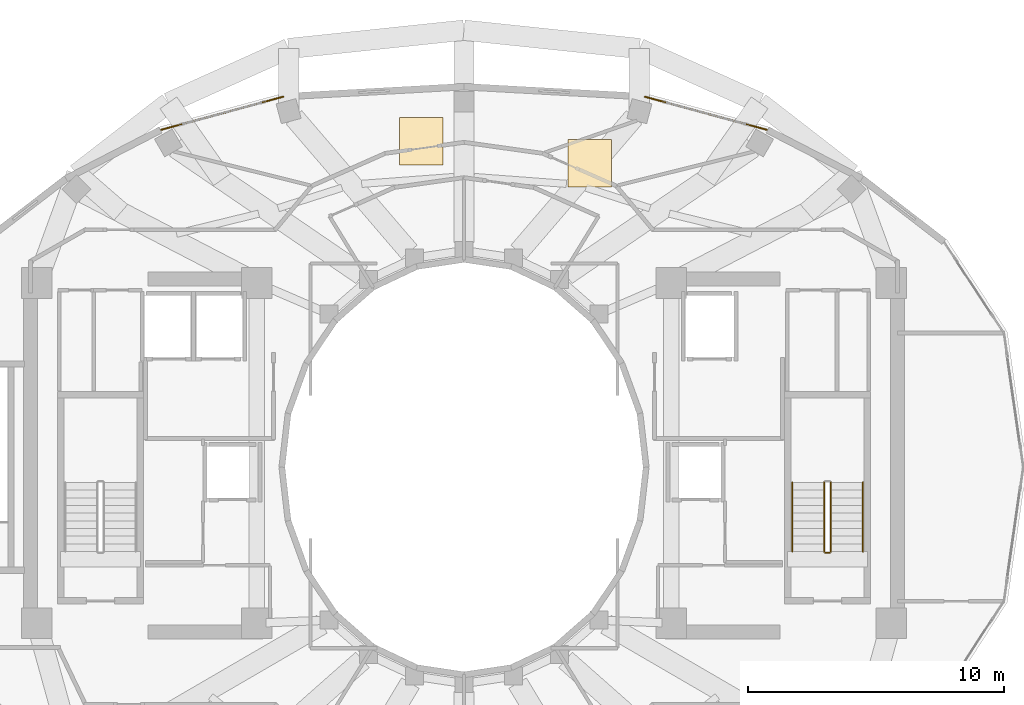
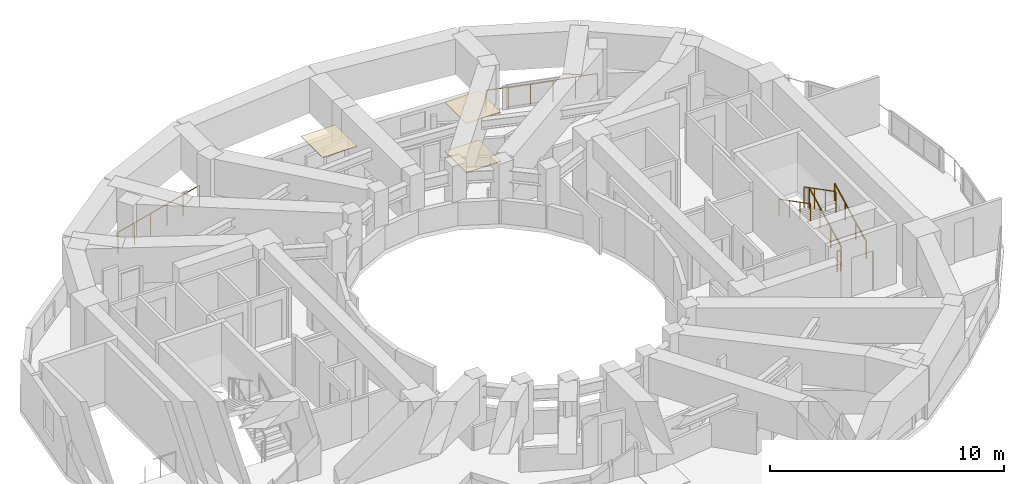
# One storey, part 19 of 20: 7 railings, 3 coverings.
"""IFC4 building model written with IfcOpenShell, lengths in metres."""

from ifc_helpers import new_model, si_unit, direction, frame, origin, origin_2d, place, context, subcontext, project, spatial, polyline, circle, outline, extrude, material, layer, layer_set, type_object, element, save


model = new_model("IFC4")

# Units and contexts
model_context = context("Model", 3, precision=1e-05, world=origin(), true_north=direction((0.0, 1.0)))
body_context = subcontext(model_context, "Body", "Model", "MODEL_VIEW")
ifc_project = project(units=[si_unit("LENGTHUNIT", "METRE"), si_unit("AREAUNIT", "SQUARE_METRE"), si_unit("VOLUMEUNIT", "CUBIC_METRE"), si_unit("PLANEANGLEUNIT", "RADIAN"), si_unit("MASSUNIT", "GRAM", prefix="KILO")], contexts=[model_context])

# Site, building, storey
site_placement = place(None, origin())
site = spatial("IfcSite", under=ifc_project, at=site_placement, CompositionType="ELEMENT")
building_placement = place(site_placement, origin())
building = spatial("IfcBuilding", under=site, at=building_placement, Name="Solvane Sanctuary Tower", CompositionType="ELEMENT")
storey_placement = place(building_placement, frame((0.0, 0.0, 217.10009765625)))
storey = spatial("IfcBuildingStorey", under=building, at=storey_placement, Name="L66", CompositionType="ELEMENT", Elevation=217.10009765625)

# Coverings
ifc_material_1 = material(Name="Acoustic Gypsum Partition Board")
ifc_layer_1 = layer(ifc_material_1, 0.02490234375, Name="Acoustic Gypsum Partition Board")
ifc_layer_set_1 = layer_set([ifc_layer_1], Name="Acoustic Gypsum Partition Board")
covering_type_1 = type_object("IfcCoveringType", Name="Covering CLG-ACOUST", PredefinedType="CEILING", material=ifc_layer_set_1)
covering_1_placement = place(storey_placement, frame((0.0, 0.0, 2.56982421875)))
element("IfcCovering", 1, at=covering_1_placement, inside=storey, type_object=covering_type_1, Name="L66 Unit Acoustic Ceiling Panel 1", PredefinedType="CEILING", context=body_context, shape_type="SweptSolid", body=[
    extrude(outline(polyline([(36.06689453125, 33.947021484375), (37.76708984375, 33.947021484375), (37.76708984375, 35.797119140625), (36.06689453125, 35.797119140625), (36.06689453125, 33.947021484375)])), origin(), (0.0, 0.0, 1.0), 0.030029296875),
])
covering_2_placement = place(storey_placement, frame((0.0, 0.0, 2.56982421875)))
element("IfcCovering", 2, at=covering_2_placement, inside=storey, type_object=covering_type_1, Name="L66 Unit Acoustic Ceiling Panel 2", PredefinedType="CEILING", context=body_context, shape_type="SweptSolid", body=[
    extrude(outline(polyline([(29.472900390625, 34.81494140625), (31.173095703125, 34.81494140625), (31.173095703125, 36.6650390625), (29.472900390625, 36.6650390625), (29.472900390625, 34.81494140625)])), origin(), (0.0, 0.0, 1.0), 0.030029296875),
])
ifc_material_2 = material(Name="Ceramic Tile Finish")
ifc_layer_2 = layer(ifc_material_2, 0.030029296875, Name="Ceramic Tile Finish")
ifc_layer_set_2 = layer_set([ifc_layer_2], Name="Ceramic Tile Finish")
covering_type_2 = type_object("IfcCoveringType", Name="Covering FLR-TERRAZZO", PredefinedType="FLOORING", material=ifc_layer_set_2)
covering_3_placement = place(storey_placement, origin())
element("IfcCovering", 3, at=covering_3_placement, inside=storey, type_object=covering_type_2, Name="L66 Unit Terrazzo Inlay 1", PredefinedType="FLOORING", context=body_context, shape_type="SweptSolid", body=[
    extrude(outline(polyline([(36.06689453125, 33.947021484375), (37.76708984375, 33.947021484375), (37.76708984375, 35.797119140625), (36.06689453125, 35.797119140625), (36.06689453125, 33.947021484375)])), origin(), (0.0, 0.0, 1.0), 0.034912109375),
])

# Railings
ifc_material_3 = material(Name="Architectural Stainless Steel 316", Category="steel")
railing_type_1 = type_object("IfcRailingType", Name="Railing GR-BALC-1150", PredefinedType="BALUSTRADE", material=ifc_material_3)
railing_1_placement = place(storey_placement, frame((43.841064453125, 36.184814453125, 0.0)))
element("IfcRailing", 4, at=railing_1_placement, inside=storey, type_object=railing_type_1, Name="L66 Curtain-Wall Perimeter Sill Guard 04", PredefinedType="BALUSTRADE", context=body_context, shape_type="SweptSolid", body=[
    extrude(circle(Radius=0.02392578125, at=origin_2d()), frame((0.0, 0.0, 1.1259765625), z_axis=(-0.965207148119, 0.261486445574, 0.0), x_axis=(-0.261486445574, -0.965207148119, 0.0)), (0.0, 0.0, 1.0), 4.94091796875),
    extrude(circle(Radius=0.02099609375, at=origin_2d()), origin(), (0.0, 0.0, 1.0), 1.101806640625),
    extrude(circle(Radius=0.02099609375, at=origin_2d()), frame((-0.953857421875, 0.25830078125, 0.0)), (0.0, 0.0, 1.0), 1.101806640625),
    extrude(circle(Radius=0.02099609375, at=origin_2d()), frame((-1.90771484375, 0.516845703125, 0.0)), (0.0, 0.0, 1.0), 1.101806640625),
    extrude(circle(Radius=0.02099609375, at=origin_2d()), frame((-2.861328125, 0.775146484375, 0.0)), (0.0, 0.0, 1.0), 1.101806640625),
    extrude(circle(Radius=0.02099609375, at=origin_2d()), frame((-3.815185546875, 1.03369140625, 0.0)), (0.0, 0.0, 1.0), 1.101806640625),
    extrude(circle(Radius=0.02099609375, at=origin_2d()), frame((-4.76904296875, 1.2919921875, 0.0)), (0.0, 0.0, 1.0), 1.101806640625),
])
railing_2_placement = place(storey_placement, frame((24.927978515625, 37.476806640625, 0.0)))
element("IfcRailing", 5, at=railing_2_placement, inside=storey, type_object=railing_type_1, Name="L66 Curtain-Wall Perimeter Sill Guard 07", PredefinedType="BALUSTRADE", context=body_context, shape_type="SweptSolid", body=[
    extrude(circle(Radius=0.02392578125, at=origin_2d()), frame((0.0, 0.0, 1.1259765625), z_axis=(-0.965207148119, -0.261486445574, 0.0), x_axis=(0.261486445574, -0.965207148119, 0.0)), (0.0, 0.0, 1.0), 4.94091796875),
    extrude(circle(Radius=0.02099609375, at=origin_2d()), origin(), (0.0, 0.0, 1.0), 1.101806640625),
    extrude(circle(Radius=0.02099609375, at=origin_2d()), frame((-0.953857421875, -0.25830078125, 0.0)), (0.0, 0.0, 1.0), 1.101806640625),
    extrude(circle(Radius=0.02099609375, at=origin_2d()), frame((-1.90771484375, -0.516845703125, 0.0)), (0.0, 0.0, 1.0), 1.101806640625),
    extrude(circle(Radius=0.02099609375, at=origin_2d()), frame((-2.861328125, -0.775146484375, 0.0)), (0.0, 0.0, 1.0), 1.101806640625),
    extrude(circle(Radius=0.02099609375, at=origin_2d()), frame((-3.815185546875, -1.03369140625, 0.0)), (0.0, 0.0, 1.0), 1.101806640625),
    extrude(circle(Radius=0.02099609375, at=origin_2d()), frame((-4.76904296875, -1.2919921875, 0.0)), (0.0, 0.0, 1.0), 1.101806640625),
])
railing_3_placement = place(storey_placement, frame((46.340087890625, 19.699951171875, 0.15478515625)))
element("IfcRailing", 6, at=railing_3_placement, inside=storey, type_object=railing_type_1, Name="L66 ST-2 stair guard 1", PredefinedType="BALUSTRADE", context=body_context, shape_type="SweptSolid", body=[
    extrude(circle(Radius=0.02392578125, at=origin_2d()), frame((0.0, 0.0, 1.076171875), z_axis=(0.0, 0.888419900624, 0.459031676658), x_axis=(-1.0, 0.0, 0.0)), (0.0, 0.0, 1.0), 3.0390625),
    extrude(circle(Radius=0.02099609375, at=origin_2d()), origin(), (0.0, 0.0, 1.0), 1.052001953125),
    extrude(circle(Radius=0.02099609375, at=origin_2d()), frame((0.0, 0.89990234375, 0.465087890625)), (0.0, 0.0, 1.0), 1.052001953125),
    extrude(circle(Radius=0.02099609375, at=origin_2d()), frame((0.0, 1.800048828125, 0.929931640625)), (0.0, 0.0, 1.0), 1.052001953125),
    extrude(circle(Radius=0.02099609375, at=origin_2d()), frame((0.0, 2.699951171875, 1.39501953125)), (0.0, 0.0, 1.0), 1.052001953125),
])
railing_4_placement = place(storey_placement, frame((46.080078125, 22.39990234375, 1.704833984375)))
element("IfcRailing", 7, at=railing_4_placement, inside=storey, type_object=railing_type_1, Name="L66 ST-2 stair guard 3", PredefinedType="BALUSTRADE", context=body_context, shape_type="SweptSolid", body=[
    extrude(circle(Radius=0.02392578125, at=origin_2d()), frame((0.0, 0.0, 1.076171875), z_axis=(0.0, -0.888419900624, 0.459031676658), x_axis=(1.0, 0.0, 0.0)), (0.0, 0.0, 1.0), 3.0390625),
    extrude(circle(Radius=0.02099609375, at=origin_2d()), origin(), (0.0, 0.0, 1.0), 1.052001953125),
    extrude(circle(Radius=0.02099609375, at=origin_2d()), frame((0.0, -0.89990234375, 0.465087890625)), (0.0, 0.0, 1.0), 1.052001953125),
    extrude(circle(Radius=0.02099609375, at=origin_2d()), frame((0.0, -1.800048828125, 0.929931640625)), (0.0, 0.0, 1.0), 1.052001953125),
    extrude(circle(Radius=0.02099609375, at=origin_2d()), frame((0.0, -2.699951171875, 1.39501953125)), (0.0, 0.0, 1.0), 1.052001953125),
])
railing_5_placement = place(storey_placement, frame((46.2900390625, 19.64990234375, 0.0)))
element("IfcRailing", 8, at=railing_5_placement, inside=storey, type_object=railing_type_1, Name="L66 ST-2 stair guard 4", PredefinedType="BALUSTRADE", context=body_context, shape_type="SweptSolid", body=[
    extrude(circle(Radius=0.02392578125, at=origin_2d()), frame((0.0, 0.0, 1.076171875), z_axis=(-1.0, 0.0, 0.0), x_axis=(0.0, -1.0, 0.0)), (0.0, 0.0, 1.0), 0.16015625),
    extrude(circle(Radius=0.02099609375, at=origin_2d()), origin(), (0.0, 0.0, 1.0), 1.052001953125),
    extrude(circle(Radius=0.02099609375, at=origin_2d()), frame((-0.16015625, 0.0, 0.0)), (0.0, 0.0, 1.0), 1.052001953125),
])
railing_type_2 = type_object("IfcRailingType", Name="Railing HR-STAIR-920", PredefinedType="HANDRAIL", material=ifc_material_3)
railing_6_placement = place(storey_placement, frame((47.590087890625, 19.699951171875, 0.15478515625)))
element("IfcRailing", 9, at=railing_6_placement, inside=storey, type_object=railing_type_2, Name="L66 ST-2 stair handrail 1", PredefinedType="HANDRAIL", context=body_context, shape_type="SweptSolid", body=[
    extrude(circle(Radius=0.02392578125, at=origin_2d()), frame((0.0, 0.0, 0.8759765625), z_axis=(0.0, 0.888419900624, 0.459031676658), x_axis=(-1.0, 0.0, 0.0)), (0.0, 0.0, 1.0), 3.0390625),
    extrude(circle(Radius=0.02099609375, at=origin_2d()), origin(), (0.0, 0.0, 1.0), 0.851806640625),
    extrude(circle(Radius=0.02099609375, at=origin_2d()), frame((0.0, 0.89990234375, 0.465087890625)), (0.0, 0.0, 1.0), 0.851806640625),
    extrude(circle(Radius=0.02099609375, at=origin_2d()), frame((0.0, 1.800048828125, 0.929931640625)), (0.0, 0.0, 1.0), 0.851806640625),
    extrude(circle(Radius=0.02099609375, at=origin_2d()), frame((0.0, 2.699951171875, 1.39501953125)), (0.0, 0.0, 1.0), 0.851806640625),
])
railing_7_placement = place(storey_placement, frame((44.830078125, 22.39990234375, 1.704833984375)))
element("IfcRailing", 10, at=railing_7_placement, inside=storey, type_object=railing_type_2, Name="L66 ST-2 stair handrail 2", PredefinedType="HANDRAIL", context=body_context, shape_type="SweptSolid", body=[
    extrude(circle(Radius=0.02392578125, at=origin_2d()), frame((0.0, 0.0, 0.8759765625), z_axis=(0.0, -0.888419900624, 0.459031676658), x_axis=(1.0, 0.0, 0.0)), (0.0, 0.0, 1.0), 3.0390625),
    extrude(circle(Radius=0.02099609375, at=origin_2d()), origin(), (0.0, 0.0, 1.0), 0.851806640625),
    extrude(circle(Radius=0.02099609375, at=origin_2d()), frame((0.0, -0.89990234375, 0.465087890625)), (0.0, 0.0, 1.0), 0.851806640625),
    extrude(circle(Radius=0.02099609375, at=origin_2d()), frame((0.0, -1.800048828125, 0.929931640625)), (0.0, 0.0, 1.0), 0.851806640625),
    extrude(circle(Radius=0.02099609375, at=origin_2d()), frame((0.0, -2.699951171875, 1.39501953125)), (0.0, 0.0, 1.0), 0.851806640625),
])

save(model, "model.ifc")
